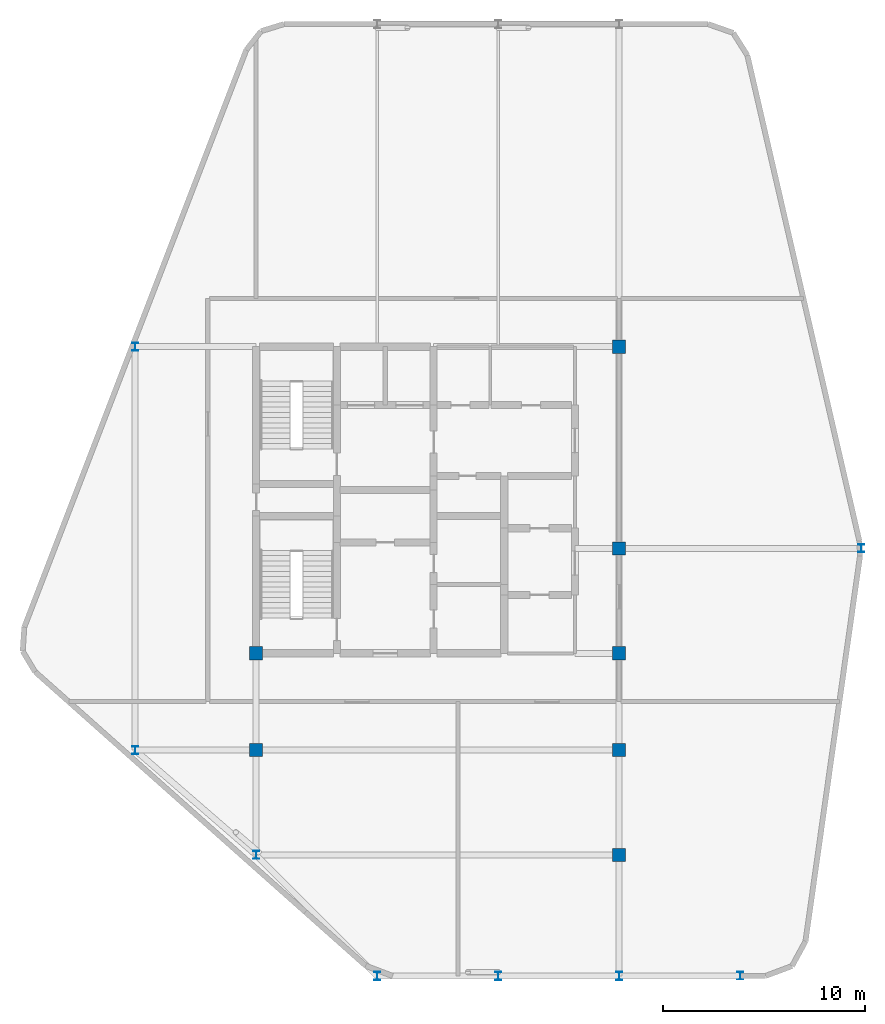
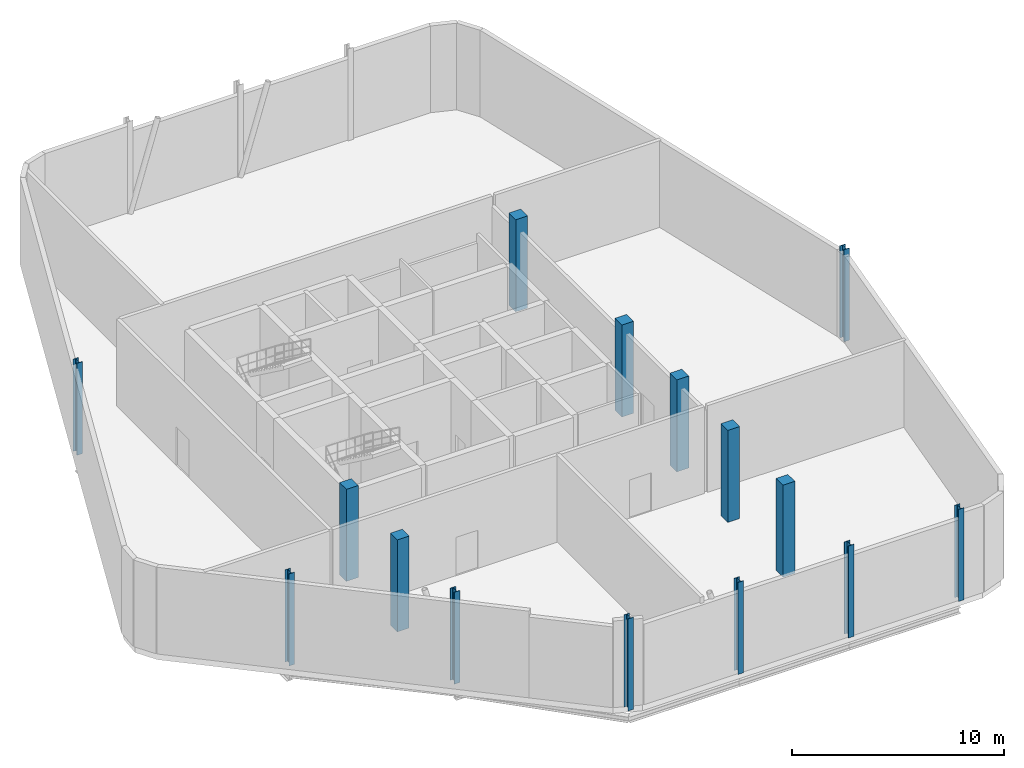
# One storey, part 1 of 6: 15 columns.
"""IFC4 building model written with IfcOpenShell, lengths in metres."""

import ifcopenshell
import ifcopenshell.guid

model = None  # the IFC model being written
_history = None  # IfcOwnerHistory: only IFC2X3 demands one
_inside = {}  # id of a spatial element -> (the spatial element, [elements in it])
_under = {}  # id of a project, library or spatial element -> (it, [spatial elements below it])
_declared = {}  # id of a project -> (the project, [libraries it declares])
_typed = {}  # id of a type object -> (the type object, [elements of that type])
_made_of = {}  # id of a material, layer set ... -> (it, [elements and type objects made of it])


def new_model(schema):
    """Start an empty IFC model of exactly this schema.

    Asked for "IFC4X3", IfcOpenShell would pick the latest addendum, in which some entities
    have other attributes; the version numbers below select the first issue.
    IFC2X3 requires an IfcOwnerHistory on every rooted entity: one is made here for all.
    """
    global model, _history
    if schema == "IFC4X3":
        model = ifcopenshell.file(schema_version=(4, 3, 0, 0))
    else:
        model = ifcopenshell.file(schema=schema)
    _inside.clear()
    _under.clear()
    _declared.clear()
    _typed.clear()
    _made_of.clear()
    _history = None
    if model.schema == "IFC2X3":
        org = make("IfcOrganization", Name="unknown")
        user = make(
            "IfcPersonAndOrganization",
            ThePerson=make("IfcPerson", FamilyName="unknown"),
            TheOrganization=org,
        )
        app = make(
            "IfcApplication",
            ApplicationDeveloper=org,
            Version="unknown",
            ApplicationFullName="unknown",
            ApplicationIdentifier="unknown",
        )
        _history = make(
            "IfcOwnerHistory",
            OwningUser=user,
            OwningApplication=app,
            ChangeAction="ADDED",
            CreationDate=0,
        )
    return model


def make(cls, **values):
    """One entity of the class cls with the attributes given. An attribute that is None is left unset."""
    return model.create_entity(
        cls, **{name: value for name, value in values.items() if value is not None}
    )


def rooted(cls, **values):
    """An entity with a GlobalId (a new one), such as an element, a storey or a relation."""
    return make(cls, GlobalId=ifcopenshell.guid.new(), OwnerHistory=_history, **values)


def si_unit(unit_type, name, prefix=None):
    """IfcSIUnit, for example si_unit("LENGTHUNIT", "METRE", prefix="MILLI")."""
    return make("IfcSIUnit", UnitType=unit_type, Prefix=prefix, Name=name)


def assignment(units):
    """IfcUnitAssignment: the units of a project."""
    return None if units is None else make("IfcUnitAssignment", Units=units)


def point(xyz):
    """IfcCartesianPoint."""
    return None if xyz is None else make("IfcCartesianPoint", Coordinates=xyz)


def direction(xyz):
    """IfcDirection."""
    return None if xyz is None else make("IfcDirection", DirectionRatios=xyz)


def frame(location, z_axis=None, x_axis=None):
    """IfcAxis2Placement3D, a coordinate frame: its origin and axes. An axis left out is left unset."""
    return make(
        "IfcAxis2Placement3D",
        Location=point(location),
        Axis=direction(z_axis),
        RefDirection=direction(x_axis),
    )


def frame_2d(location, x_axis=None):
    """IfcAxis2Placement2D, a coordinate frame in the plane: its origin and x axis."""
    return make(
        "IfcAxis2Placement2D", Location=point(location), RefDirection=direction(x_axis)
    )


def origin():
    """The frame at (0, 0, 0) with its axes left unset."""
    return frame((0.0, 0.0, 0.0))


def origin_2d():
    """The frame at (0, 0) in the plane with its x axis left unset."""
    return frame_2d((0.0, 0.0))


def place(relative_to, where):
    """IfcLocalPlacement: puts the frame where relative to a parent placement (None: the world)."""
    return make(
        "IfcLocalPlacement", PlacementRelTo=relative_to, RelativePlacement=where
    )


def context(
    kind, dimensions, precision=None, world=None, true_north=None, identifier=None
):
    """IfcGeometricRepresentationContext, for example the 3D "Model" context."""
    return make(
        "IfcGeometricRepresentationContext",
        ContextIdentifier=identifier,
        ContextType=kind,
        CoordinateSpaceDimension=dimensions,
        Precision=precision,
        WorldCoordinateSystem=world,
        TrueNorth=true_north,
    )


def subcontext(parent, identifier, kind, view, scale=None):
    """IfcGeometricRepresentationSubContext, for example "Body" below "Model"."""
    return make(
        "IfcGeometricRepresentationSubContext",
        ContextIdentifier=identifier,
        ContextType=kind,
        ParentContext=parent,
        TargetScale=scale,
        TargetView=view,
    )


def project(units=None, contexts=None):
    """IfcProject with its units and contexts."""
    return rooted(
        "IfcProject",
        Name="project",
        RepresentationContexts=contexts,
        UnitsInContext=assignment(units),
    )


def spatial(cls, under=None, at=None, **own):
    """A site, building, storey or space (cls), placed at a placement, below another one or the project."""
    s = rooted(cls, ObjectPlacement=at, **own)
    if under is not None:
        _under.setdefault(under.id(), (under, []))[1].append(s)
    return s


def profile(cls, at=None, kind="AREA", **sizes):
    """A parametric profile (cls). Its sizes go by their IFC names, for example OverallWidth=200.0."""
    return make(cls, ProfileType=kind, Position=at, **sizes)


def rectangle(**sizes):
    """IfcRectangleProfileDef."""
    return profile("IfcRectangleProfileDef", **sizes)


def i_section(**sizes):
    """IfcIShapeProfileDef."""
    return profile("IfcIShapeProfileDef", **sizes)


def extrude(swept, where, along, depth):
    """IfcExtrudedAreaSolid: the profile swept, set in the frame where, extruded along a direction by depth."""
    return make(
        "IfcExtrudedAreaSolid",
        SweptArea=swept,
        Position=where,
        ExtrudedDirection=direction(along),
        Depth=depth,
    )


def shape(context_of_items, identifier, shape_type, items):
    """IfcShapeRepresentation: the items that make up one representation, for example the "Body"."""
    return make(
        "IfcShapeRepresentation",
        ContextOfItems=context_of_items,
        RepresentationIdentifier=identifier,
        RepresentationType=shape_type,
        Items=items,
    )


def material(Name=None, Category=None):
    """IfcMaterial."""
    return make("IfcMaterial", Name=Name, Category=Category)


def material_profile(
    of_material, cross_section, Name=None, Category=None, Priority=None
):
    """IfcMaterialProfile: a cross section and its material."""
    return make(
        "IfcMaterialProfile",
        Name=Name,
        Material=of_material,
        Profile=cross_section,
        Priority=Priority,
        Category=Category,
    )


def profile_set(profiles, Name=None, composite=None):
    """IfcMaterialProfileSet."""
    return make(
        "IfcMaterialProfileSet",
        Name=Name,
        MaterialProfiles=profiles,
        CompositeProfile=composite,
    )


def made_of(thing, what):
    """Note that an element or type object is made of a material, layer set ...; save() writes the relation."""
    if what is not None:
        _made_of.setdefault(what.id(), (what, []))[1].append(thing)
    return thing


def type_object(cls, material=None, **own):
    """A type object (cls), such as IfcWallType, which elements share."""
    return made_of(rooted(cls, **own), material)


def element(
    cls,
    number,
    at=None,
    inside=None,
    cuts=None,
    type_object=None,
    material=None,
    context=None,
    identifier="Body",
    shape_type=None,
    held_by="IfcProductDefinitionShape",
    body=None,
    shapes=None,
    **own,
):
    """One element of the class cls, such as IfcWall. Its Tag is "e" and its number.

    at: its placement. inside: the storey or other place that contains it. cuts: it is an
    opening in that element (IfcRelVoidsElement). A single representation is given by context,
    identifier, shape_type and body (its items); several are given by shapes. held_by: the class
    of the entity that holds the representations. save() writes the other relations.
    """
    e = rooted(cls, Tag="e%d" % number, ObjectPlacement=at, **own)
    if body is not None:
        shapes = [shape(context, identifier, shape_type, body)]
    if shapes is not None:
        e.Representation = make(held_by, Representations=shapes)
    if inside is not None:
        _inside.setdefault(inside.id(), (inside, []))[1].append(e)
    if cuts is not None:
        rooted(
            "IfcRelVoidsElement", RelatingBuildingElement=cuts, RelatedOpeningElement=e
        )
    if type_object is not None:
        _typed.setdefault(type_object.id(), (type_object, []))[1].append(e)
    return made_of(e, material)


def aggregate(whole, parts):
    """IfcRelAggregates: a whole, such as a stair, and the parts it consists of."""
    return rooted("IfcRelAggregates", RelatingObject=whole, RelatedObjects=parts)


def save(model, path):
    """Write the relations noted so far, then the file.

    IfcRelAggregates (storeys below a building ...), IfcRelContainedInSpatialStructure (elements
    in a storey), IfcRelDefinesByType, IfcRelAssociatesMaterial and IfcRelDeclares: one each for
    every whole, place, type object, material and project.
    """
    for whole, parts in _under.values():
        aggregate(whole, parts)
    for where, things in _inside.values():
        rooted(
            "IfcRelContainedInSpatialStructure",
            RelatedElements=things,
            RelatingStructure=where,
        )
    for kind, things in _typed.values():
        rooted("IfcRelDefinesByType", RelatedObjects=things, RelatingType=kind)
    for what, things in _made_of.values():
        rooted("IfcRelAssociatesMaterial", RelatedObjects=things, RelatingMaterial=what)
    for by, libraries in _declared.values():
        rooted("IfcRelDeclares", RelatingContext=by, RelatedDefinitions=libraries)
    model.write(path)


model = new_model("IFC4")

# Units and contexts
model_context = context("Model", 3, precision=1e-05, world=origin(), true_north=direction((0.0, 1.0)))
body_context = subcontext(model_context, "Body", "Model", "MODEL_VIEW")
ifc_project = project(units=[si_unit("LENGTHUNIT", "METRE"), si_unit("AREAUNIT", "SQUARE_METRE"), si_unit("VOLUMEUNIT", "CUBIC_METRE"), si_unit("PLANEANGLEUNIT", "RADIAN"), si_unit("MASSUNIT", "GRAM", prefix="KILO")], contexts=[model_context])

# Site, building, storey
site_placement = place(None, origin())
site = spatial("IfcSite", under=ifc_project, at=site_placement, CompositionType="ELEMENT")
building_placement = place(site_placement, origin())
building = spatial("IfcBuilding", under=site, at=building_placement, Name="Keshet Zoharim Tower", CompositionType="ELEMENT")
storey_placement = place(building_placement, frame((0.0, 0.0, 314.699951171875)))
storey = spatial("IfcBuildingStorey", under=building, at=storey_placement, Name="L79", CompositionType="ELEMENT", Elevation=314.699951171875)

# Columns
ifc_material_1 = material(Name="Steel S355", Category="steel")
ifc_material_profile_1 = material_profile(ifc_material_1, i_section(OverallWidth=0.300048828125, OverallDepth=0.39990234375, WebThickness=0.013427734375, FlangeThickness=0.02392578125, FilletRadius=0.027099609375, at=origin_2d()), Name="HEB400")
ifc_profile_set_1 = profile_set([ifc_material_profile_1], Name="Steel S355")
column_type_1 = type_object("IfcColumnType", Name="COL-HEB400", PredefinedType="COLUMN", material=ifc_profile_set_1)
for number, where, z_axis, x_axis, name in (
    (1, (9.0, 17.89990234375, 0.0), (0.0, 0.0, 1.0), (1.0, 0.0, 0.0), "L79 Column 2D"),
    (2, (9.0, 37.89990234375, 0.0), (0.0, 0.0, 1.0), (1.0, 0.0, 0.0), "L79 Column 2H"),
    (3, (15.0, 12.699951171875, 0.0), (0.0, 0.0, 1.0), (1.0, 0.0, 0.0), "L79 Column 3C"),
    (4, (21.0, 6.699951171875, 0.0), (0.0, 0.0, 1.0), (1.0, 0.0, 0.0), "L79 Column 4B"),
    (5, (27.0, 6.699951171875, 0.0), (0.0, 0.0, 1.0), (1.0, 0.0, 0.0), "L79 Column 5B"),
    (6, (33.0, 6.699951171875, 0.0), (0.0, 0.0, 1.0), (1.0, 0.0, 0.0), "L79 Column 6B"),
    (7, (39.0, 6.699951171875, 0.0), (0.0, 0.0, 1.0), (1.0, 0.0, 0.0), "L79 Column 7B"),
    (8, (45.0, 27.89990234375, 0.0), (0.0, 0.0, 1.0), (1.0, 0.0, 0.0), "L79 Column 8F"),
):
    element("IfcColumn", number, at=place(storey_placement, frame(where, z_axis=z_axis, x_axis=x_axis)), inside=storey, type_object=column_type_1, Name=name, PredefinedType="COLUMN", context=body_context, shape_type="SweptSolid", body=[
        extrude(i_section(OverallWidth=0.300048828125, OverallDepth=0.39990234375, WebThickness=0.013427734375, FlangeThickness=0.02392578125, FilletRadius=0.027099609375, at=origin_2d()), origin(), (0.0, 0.0, 1.0), 5.300048828125),
    ])
ifc_material_2 = material(Name="Concrete C50/60", Category="concrete")
ifc_material_profile_2 = material_profile(ifc_material_2, rectangle(XDim=0.64990234375, YDim=0.64990234375, at=origin_2d()), Name="RC650x650")
ifc_profile_set_2 = profile_set([ifc_material_profile_2], Name="Concrete C50/60")
column_type_2 = type_object("IfcColumnType", Name="COL-RC650", PredefinedType="COLUMN", material=ifc_profile_set_2)
for number, where, z_axis, x_axis, name in (
    (9, (15.0, 17.89990234375, 0.0), (0.0, 0.0, 1.0), (1.0, 0.0, 0.0), "L79 Column 3D"),
    (10, (15.0, 22.699951171875, 0.0), (0.0, 0.0, 1.0), (1.0, 0.0, 0.0), "L79 Column 3E"),
    (11, (33.0, 12.699951171875, 0.0), (0.0, 0.0, 1.0), (1.0, 0.0, 0.0), "L79 Column 6C"),
    (12, (33.0, 17.89990234375, 0.0), (0.0, 0.0, 1.0), (1.0, 0.0, 0.0), "L79 Column 6D"),
    (13, (33.0, 22.699951171875, 0.0), (0.0, 0.0, 1.0), (1.0, 0.0, 0.0), "L79 Column 6E"),
    (14, (33.0, 27.89990234375, 0.0), (0.0, 0.0, 1.0), (1.0, 0.0, 0.0), "L79 Column 6F"),
    (15, (33.0, 37.89990234375, 0.0), (0.0, 0.0, 1.0), (1.0, 0.0, 0.0), "L79 Column 6H"),
):
    element("IfcColumn", number, at=place(storey_placement, frame(where, z_axis=z_axis, x_axis=x_axis)), inside=storey, type_object=column_type_2, Name=name, PredefinedType="COLUMN", context=body_context, shape_type="SweptSolid", body=[
        extrude(rectangle(XDim=0.64990234375, YDim=0.64990234375, at=origin_2d()), origin(), (0.0, 0.0, 1.0), 5.300048828125),
    ])

save(model, "model.ifc")
